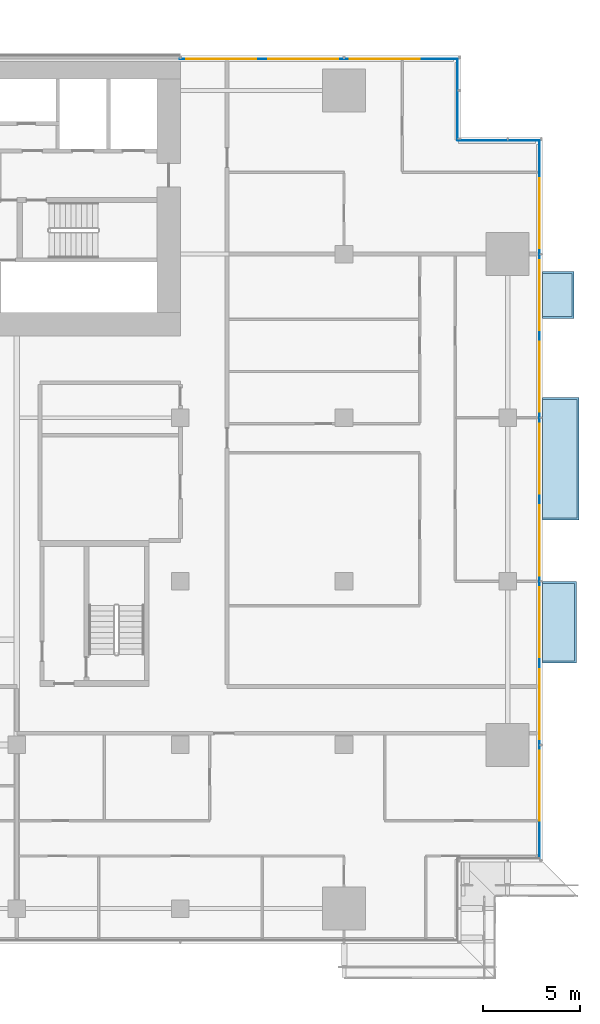
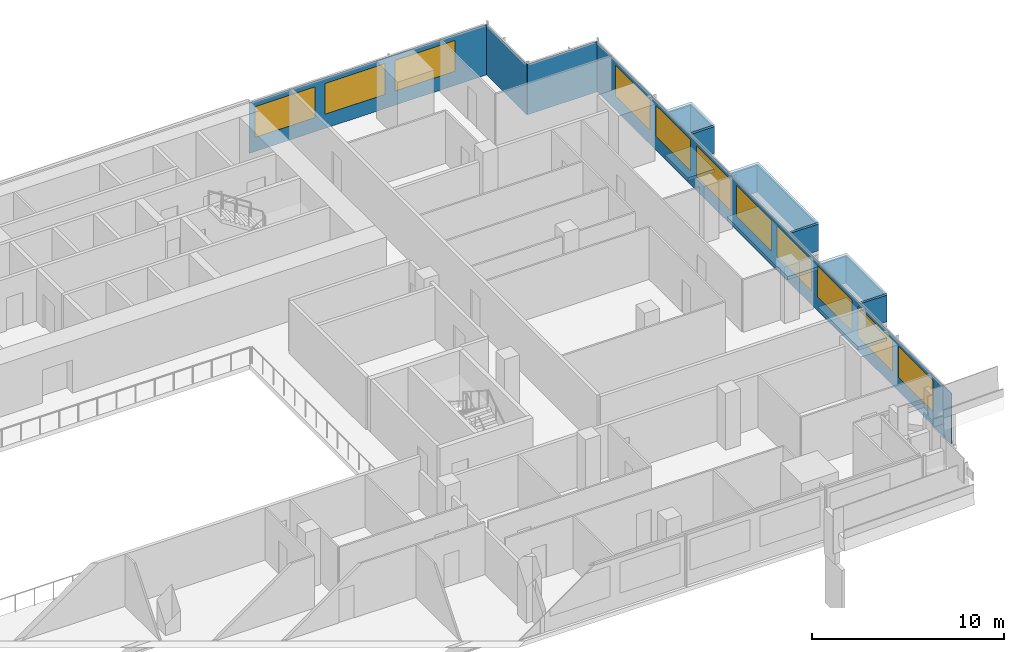
# One storey, part 16 of 29: 11 windows, 10 plates, 3 slabs, 11 openings, 4 elements without a shape of their own.
"""IFC4 building model written with IfcOpenShell, lengths in metres."""

from ifc_helpers import new_model, si_unit, direction, frame, frame_2d, origin, place, context, subcontext, project, spatial, polyline, rectangle, outline, extrude, material, layer, layer_set, type_object, element, fill, aggregate, save


model = new_model("IFC4")

# Units and contexts
model_context = context("Model", 3, precision=1e-05, world=origin(), true_north=direction((0.0, 1.0)))
body_context = subcontext(model_context, "Body", "Model", "MODEL_VIEW")
ifc_project = project(units=[si_unit("LENGTHUNIT", "METRE"), si_unit("AREAUNIT", "SQUARE_METRE"), si_unit("VOLUMEUNIT", "CUBIC_METRE"), si_unit("PLANEANGLEUNIT", "RADIAN"), si_unit("MASSUNIT", "GRAM", prefix="KILO")], contexts=[model_context])

# Site, building, storey
site_placement = place(None, origin())
site = spatial("IfcSite", under=ifc_project, at=site_placement, CompositionType="ELEMENT")
building_placement = place(site_placement, origin())
building = spatial("IfcBuilding", under=site, at=building_placement, Name="Saffron Gate Tower", CompositionType="ELEMENT")
storey_placement = place(building_placement, frame((0.0, 0.0, 48.0)))
storey = spatial("IfcBuildingStorey", under=building, at=storey_placement, Name="L10", CompositionType="ELEMENT", Elevation=48.0)

# Curtain wall, plate, openings, windows
ifc_material_1 = material(Name="Aluminium, bronze anodised", Category="aluminium")
curtain_wall_type_1 = type_object("IfcCurtainWallType", Name="CWS2 curtain wall side facades", PredefinedType="NOTDEFINED", material=ifc_material_1)
curtain_wall_1_placement = place(storey_placement, origin())
curtain_wall_1 = element("IfcCurtainWall", 1, at=curtain_wall_1_placement, inside=storey, type_object=curtain_wall_type_1, Name="CWS2 run 4", PredefinedType="NOTDEFINED")
ifc_material_2 = material(Name="Fritted bronze-tinted laminated glass", Category="glass")
ifc_layer_1 = layer(ifc_material_2, 0.028076171875)
ifc_layer_set_1 = layer_set([ifc_layer_1], Name="CWS2 fixed glass")
plate_type_1 = type_object("IfcPlateType", Name="CWS2 fixed glass", PredefinedType="CURTAIN_PANEL", material=ifc_layer_set_1)
plate_1_placement = place(storey_placement, frame((127.02587890625, 34.387939453125, 0.0), z_axis=(0.0, 0.0, 1.0), x_axis=(0.0, 1.0, 0.0)))
plate_1 = element("IfcPlate", 2, at=plate_1_placement, type_object=plate_type_1, Name="CWS2 glass panel", PredefinedType="CURTAIN_PANEL", context=body_context, shape_type="SweptSolid", body=[
    extrude(rectangle(XDim=36.823974609375, YDim=0.028076171875, at=frame_2d((18.412109375, 0.0))), origin(), (0.0, 0.0, 1.0), 3.199951171875),
])
opening_1_placement = place(plate_1_placement, frame((1.912109375, 0.0, 0.89990234375)))
opening_1 = element("IfcOpeningElement", 3, at=opening_1_placement, cuts=plate_1, Name="Opening W1", PredefinedType="OPENING", context=body_context, shape_type="SweptSolid", body=[
    extrude(rectangle(XDim=3.60009765625, YDim=1.949951171875, at=frame_2d((1.800048828125, 0.97509765625))), frame((0.0, 0.02392578125, 0.0), z_axis=(0.0, -1.0, 0.0), x_axis=(1.0, 0.0, 0.0)), (0.0, 0.0, 1.0), 0.048095703125),
])
opening_2_placement = place(plate_1_placement, frame((6.112060546875, 0.0, 0.89990234375)))
opening_2 = element("IfcOpeningElement", 4, at=opening_2_placement, cuts=plate_1, Name="Opening W1", PredefinedType="OPENING", context=body_context, shape_type="SweptSolid", body=[
    extrude(rectangle(XDim=3.60009765625, YDim=1.949951171875, at=frame_2d((1.800048828125, 0.97509765625))), frame((0.0, 0.02392578125, 0.0), z_axis=(0.0, -1.0, 0.0), x_axis=(1.0, 0.0, 0.0)), (0.0, 0.0, 1.0), 0.048095703125),
])
opening_3_placement = place(plate_1_placement, frame((10.31201171875, 0.0, 0.89990234375)))
opening_3 = element("IfcOpeningElement", 5, at=opening_3_placement, cuts=plate_1, Name="Opening W1", PredefinedType="OPENING", context=body_context, shape_type="SweptSolid", body=[
    extrude(rectangle(XDim=3.60009765625, YDim=1.949951171875, at=frame_2d((1.800048828125, 0.97509765625))), frame((0.0, 0.02392578125, 0.0), z_axis=(0.0, -1.0, 0.0), x_axis=(1.0, 0.0, 0.0)), (0.0, 0.0, 1.0), 0.048095703125),
])
opening_4_placement = place(plate_1_placement, frame((14.511962890625, 0.0, 0.89990234375)))
opening_4 = element("IfcOpeningElement", 6, at=opening_4_placement, cuts=plate_1, Name="Opening W1", PredefinedType="OPENING", context=body_context, shape_type="SweptSolid", body=[
    extrude(rectangle(XDim=3.60009765625, YDim=1.949951171875, at=frame_2d((1.800048828125, 0.97509765625))), frame((0.0, 0.02392578125, 0.0), z_axis=(0.0, -1.0, 0.0), x_axis=(1.0, 0.0, 0.0)), (0.0, 0.0, 1.0), 0.048095703125),
])
opening_5_placement = place(plate_1_placement, frame((18.7119140625, 0.0, 0.89990234375)))
opening_5 = element("IfcOpeningElement", 7, at=opening_5_placement, cuts=plate_1, Name="Opening W1", PredefinedType="OPENING", context=body_context, shape_type="SweptSolid", body=[
    extrude(rectangle(XDim=3.60009765625, YDim=1.949951171875, at=frame_2d((1.800048828125, 0.97509765625))), frame((0.0, 0.02392578125, 0.0), z_axis=(0.0, -1.0, 0.0), x_axis=(1.0, 0.0, 0.0)), (0.0, 0.0, 1.0), 0.048095703125),
])
opening_6_placement = place(plate_1_placement, frame((22.912109375, 0.0, 0.89990234375)))
opening_6 = element("IfcOpeningElement", 8, at=opening_6_placement, cuts=plate_1, Name="Opening W1", PredefinedType="OPENING", context=body_context, shape_type="SweptSolid", body=[
    extrude(rectangle(XDim=3.60009765625, YDim=1.949951171875, at=frame_2d((1.800048828125, 0.97509765625))), frame((0.0, 0.02392578125, 0.0), z_axis=(0.0, -1.0, 0.0), x_axis=(1.0, 0.0, 0.0)), (0.0, 0.0, 1.0), 0.048095703125),
])
opening_7_placement = place(plate_1_placement, frame((27.112060546875, 0.0, 0.89990234375)))
opening_7 = element("IfcOpeningElement", 9, at=opening_7_placement, cuts=plate_1, Name="Opening W1", PredefinedType="OPENING", context=body_context, shape_type="SweptSolid", body=[
    extrude(rectangle(XDim=3.60009765625, YDim=1.949951171875, at=frame_2d((1.800048828125, 0.97509765625))), frame((0.0, 0.02392578125, 0.0), z_axis=(0.0, -1.0, 0.0), x_axis=(1.0, 0.0, 0.0)), (0.0, 0.0, 1.0), 0.048095703125),
])
opening_8_placement = place(plate_1_placement, frame((31.31201171875, 0.0, 0.89990234375)))
opening_8 = element("IfcOpeningElement", 10, at=opening_8_placement, cuts=plate_1, Name="Opening W1", PredefinedType="OPENING", context=body_context, shape_type="SweptSolid", body=[
    extrude(rectangle(XDim=3.60009765625, YDim=1.949951171875, at=frame_2d((1.800048828125, 0.97509765625))), frame((0.0, 0.02392578125, 0.0), z_axis=(0.0, -1.0, 0.0), x_axis=(1.0, 0.0, 0.0)), (0.0, 0.0, 1.0), 0.048095703125),
])
ifc_material_3 = material(Name="Fritted bronze-tinted laminated glass in bronze frame", Category="glass")
ifc_layer_2 = layer(ifc_material_3, 0.06005859375)
ifc_layer_set_2 = layer_set([ifc_layer_2], Name="W1 operable panel 3600x1950")
window_type = type_object("IfcWindowType", Name="W1 operable panel 3600x1950", PartitioningType="DOUBLE_PANEL_HORIZONTAL", PredefinedType="WINDOW", material=ifc_layer_set_2)
window_1_placement = place(opening_1_placement, origin())
window_1 = element("IfcWindow", 11, at=window_1_placement, type_object=window_type, Name="W1 operable panel", OverallHeight=1.949951171875, OverallWidth=3.60009765625, PartitioningType="SINGLE_PANEL", PredefinedType="WINDOW", context=body_context, shape_type="SweptSolid", body=[
    extrude(rectangle(XDim=3.60009765625, YDim=1.949951171875, at=frame_2d((1.800048828125, 0.97509765625))), frame((0.0, 0.013671875, 0.0), z_axis=(0.0, -1.0, 0.0), x_axis=(1.0, 0.0, 0.0)), (0.0, 0.0, 1.0), 0.027587890625),
])
fill(opening_1, window_1)
window_2_placement = place(opening_2_placement, origin())
window_2 = element("IfcWindow", 12, at=window_2_placement, type_object=window_type, Name="W1 operable panel", OverallHeight=1.949951171875, OverallWidth=3.60009765625, PartitioningType="SINGLE_PANEL", PredefinedType="WINDOW", context=body_context, shape_type="SweptSolid", body=[
    extrude(rectangle(XDim=3.60009765625, YDim=1.949951171875, at=frame_2d((1.800048828125, 0.97509765625))), frame((0.0, 0.013671875, 0.0), z_axis=(0.0, -1.0, 0.0), x_axis=(1.0, 0.0, 0.0)), (0.0, 0.0, 1.0), 0.027587890625),
])
fill(opening_2, window_2)
window_3_placement = place(opening_3_placement, origin())
window_3 = element("IfcWindow", 13, at=window_3_placement, type_object=window_type, Name="W1 operable panel", OverallHeight=1.949951171875, OverallWidth=3.60009765625, PartitioningType="SINGLE_PANEL", PredefinedType="WINDOW", context=body_context, shape_type="SweptSolid", body=[
    extrude(rectangle(XDim=3.60009765625, YDim=1.949951171875, at=frame_2d((1.800048828125, 0.97509765625))), frame((0.0, 0.013671875, 0.0), z_axis=(0.0, -1.0, 0.0), x_axis=(1.0, 0.0, 0.0)), (0.0, 0.0, 1.0), 0.027587890625),
])
fill(opening_3, window_3)
window_4_placement = place(opening_4_placement, origin())
window_4 = element("IfcWindow", 14, at=window_4_placement, type_object=window_type, Name="W1 operable panel", OverallHeight=1.949951171875, OverallWidth=3.60009765625, PartitioningType="SINGLE_PANEL", PredefinedType="WINDOW", context=body_context, shape_type="SweptSolid", body=[
    extrude(rectangle(XDim=3.60009765625, YDim=1.949951171875, at=frame_2d((1.800048828125, 0.97509765625))), frame((0.0, 0.013671875, 0.0), z_axis=(0.0, -1.0, 0.0), x_axis=(1.0, 0.0, 0.0)), (0.0, 0.0, 1.0), 0.027587890625),
])
fill(opening_4, window_4)
window_5_placement = place(opening_5_placement, origin())
window_5 = element("IfcWindow", 15, at=window_5_placement, type_object=window_type, Name="W1 operable panel", OverallHeight=1.949951171875, OverallWidth=3.60009765625, PartitioningType="SINGLE_PANEL", PredefinedType="WINDOW", context=body_context, shape_type="SweptSolid", body=[
    extrude(rectangle(XDim=3.60009765625, YDim=1.949951171875, at=frame_2d((1.800048828125, 0.97509765625))), frame((0.0, 0.013671875, 0.0), z_axis=(0.0, -1.0, 0.0), x_axis=(1.0, 0.0, 0.0)), (0.0, 0.0, 1.0), 0.027587890625),
])
fill(opening_5, window_5)
window_6_placement = place(opening_6_placement, origin())
window_6 = element("IfcWindow", 16, at=window_6_placement, type_object=window_type, Name="W1 operable panel", OverallHeight=1.949951171875, OverallWidth=3.60009765625, PartitioningType="SINGLE_PANEL", PredefinedType="WINDOW", context=body_context, shape_type="SweptSolid", body=[
    extrude(rectangle(XDim=3.60009765625, YDim=1.949951171875, at=frame_2d((1.800048828125, 0.97509765625))), frame((0.0, 0.013671875, 0.0), z_axis=(0.0, -1.0, 0.0), x_axis=(1.0, 0.0, 0.0)), (0.0, 0.0, 1.0), 0.027587890625),
])
fill(opening_6, window_6)
window_7_placement = place(opening_7_placement, origin())
window_7 = element("IfcWindow", 17, at=window_7_placement, type_object=window_type, Name="W1 operable panel", OverallHeight=1.949951171875, OverallWidth=3.60009765625, PartitioningType="SINGLE_PANEL", PredefinedType="WINDOW", context=body_context, shape_type="SweptSolid", body=[
    extrude(rectangle(XDim=3.60009765625, YDim=1.949951171875, at=frame_2d((1.800048828125, 0.97509765625))), frame((0.0, 0.013671875, 0.0), z_axis=(0.0, -1.0, 0.0), x_axis=(1.0, 0.0, 0.0)), (0.0, 0.0, 1.0), 0.027587890625),
])
fill(opening_7, window_7)
window_8_placement = place(opening_8_placement, origin())
window_8 = element("IfcWindow", 18, at=window_8_placement, type_object=window_type, Name="W1 operable panel", OverallHeight=1.949951171875, OverallWidth=3.60009765625, PartitioningType="SINGLE_PANEL", PredefinedType="WINDOW", context=body_context, shape_type="SweptSolid", body=[
    extrude(rectangle(XDim=3.60009765625, YDim=1.949951171875, at=frame_2d((1.800048828125, 0.97509765625))), frame((0.0, 0.013671875, 0.0), z_axis=(0.0, -1.0, 0.0), x_axis=(1.0, 0.0, 0.0)), (0.0, 0.0, 1.0), 0.027587890625),
])
fill(opening_8, window_8)
aggregate(curtain_wall_1, [plate_1, window_1, window_2, window_3, window_4, window_5, window_6, window_7, window_8])

curtain_wall_type_2 = type_object("IfcCurtainWallType", Name="CWS3 curtain wall rear facade", PredefinedType="NOTDEFINED", material=ifc_material_1)
curtain_wall_2_placement = place(storey_placement, origin())
curtain_wall_2 = element("IfcCurtainWall", 19, at=curtain_wall_2_placement, inside=storey, type_object=curtain_wall_type_2, Name="CWS3 run 7", PredefinedType="NOTDEFINED")
ifc_material_4 = material(Name="Fritted grey-tinted laminated glass", Category="glass")
ifc_layer_3 = layer(ifc_material_4, 0.028076171875)
ifc_layer_set_3 = layer_set([ifc_layer_3], Name="CWS3 fixed glass")
plate_type_2 = type_object("IfcPlateType", Name="CWS3 fixed glass", PredefinedType="CURTAIN_PANEL", material=ifc_layer_set_3)
plate_2_placement = place(storey_placement, frame((122.81201171875, 75.426025390625, 0.0), z_axis=(0.0, 0.0, 1.0), x_axis=(-1.0, 0.0, 0.0)))
plate_2 = element("IfcPlate", 20, at=plate_2_placement, type_object=plate_type_2, Name="CWS3 glass panel", PredefinedType="CURTAIN_PANEL", context=body_context, shape_type="SweptSolid", body=[
    extrude(rectangle(XDim=14.2470703125, YDim=0.028076171875, at=frame_2d((7.12353515625, 0.0))), origin(), (0.0, 0.0, 1.0), 3.199951171875),
])
opening_9_placement = place(plate_2_placement, frame((1.912109375, 0.0, 0.89990234375)))
opening_9 = element("IfcOpeningElement", 21, at=opening_9_placement, cuts=plate_2, Name="Opening W1", PredefinedType="OPENING", context=body_context, shape_type="SweptSolid", body=[
    extrude(rectangle(XDim=3.60009765625, YDim=1.949951171875, at=frame_2d((1.800048828125, 0.97509765625))), frame((0.0, 0.02392578125, 0.0), z_axis=(0.0, -1.0, 0.0), x_axis=(1.0, 0.0, 0.0)), (0.0, 0.0, 1.0), 0.048095703125),
])
opening_10_placement = place(plate_2_placement, frame((6.112060546875, 0.0, 0.89990234375)))
opening_10 = element("IfcOpeningElement", 22, at=opening_10_placement, cuts=plate_2, Name="Opening W1", PredefinedType="OPENING", context=body_context, shape_type="SweptSolid", body=[
    extrude(rectangle(XDim=3.60009765625, YDim=1.949951171875, at=frame_2d((1.800048828125, 0.97509765625))), frame((0.0, 0.02392578125, 0.0), z_axis=(0.0, -1.0, 0.0), x_axis=(1.0, 0.0, 0.0)), (0.0, 0.0, 1.0), 0.048095703125),
])
opening_11_placement = place(plate_2_placement, frame((10.31201171875, 0.0, 0.89990234375)))
opening_11 = element("IfcOpeningElement", 23, at=opening_11_placement, cuts=plate_2, Name="Opening W1", PredefinedType="OPENING", context=body_context, shape_type="SweptSolid", body=[
    extrude(rectangle(XDim=3.60009765625, YDim=1.949951171875, at=frame_2d((1.800048828125, 0.97509765625))), frame((0.0, 0.02392578125, 0.0), z_axis=(0.0, -1.0, 0.0), x_axis=(1.0, 0.0, 0.0)), (0.0, 0.0, 1.0), 0.048095703125),
])
window_9_placement = place(opening_9_placement, origin())
window_9 = element("IfcWindow", 24, at=window_9_placement, type_object=window_type, Name="W1 operable panel", OverallHeight=1.949951171875, OverallWidth=3.60009765625, PartitioningType="SINGLE_PANEL", PredefinedType="WINDOW", context=body_context, shape_type="SweptSolid", body=[
    extrude(rectangle(XDim=3.60009765625, YDim=1.949951171875, at=frame_2d((1.800048828125, 0.97509765625))), frame((0.0, 0.013671875, 0.0), z_axis=(0.0, -1.0, 0.0), x_axis=(1.0, 0.0, 0.0)), (0.0, 0.0, 1.0), 0.027587890625),
])
fill(opening_9, window_9)
window_10_placement = place(opening_10_placement, origin())
window_10 = element("IfcWindow", 25, at=window_10_placement, type_object=window_type, Name="W1 operable panel", OverallHeight=1.949951171875, OverallWidth=3.60009765625, PartitioningType="SINGLE_PANEL", PredefinedType="WINDOW", context=body_context, shape_type="SweptSolid", body=[
    extrude(rectangle(XDim=3.60009765625, YDim=1.949951171875, at=frame_2d((1.800048828125, 0.97509765625))), frame((0.0, 0.013671875, 0.0), z_axis=(0.0, -1.0, 0.0), x_axis=(1.0, 0.0, 0.0)), (0.0, 0.0, 1.0), 0.027587890625),
])
fill(opening_10, window_10)
window_11_placement = place(opening_11_placement, origin())
window_11 = element("IfcWindow", 26, at=window_11_placement, type_object=window_type, Name="W1 operable panel", OverallHeight=1.949951171875, OverallWidth=3.60009765625, PartitioningType="SINGLE_PANEL", PredefinedType="WINDOW", context=body_context, shape_type="SweptSolid", body=[
    extrude(rectangle(XDim=3.60009765625, YDim=1.949951171875, at=frame_2d((1.800048828125, 0.97509765625))), frame((0.0, 0.013671875, 0.0), z_axis=(0.0, -1.0, 0.0), x_axis=(1.0, 0.0, 0.0)), (0.0, 0.0, 1.0), 0.027587890625),
])
fill(opening_11, window_11)
aggregate(curtain_wall_2, [plate_2, window_9, window_10, window_11])

# Curtain wall, plate
curtain_wall_type_3 = type_object("IfcCurtainWallType", Name="CWS4 curtain wall corner returns", PredefinedType="NOTDEFINED", material=ifc_material_1)
curtain_wall_3_placement = place(storey_placement, origin())
curtain_wall_3 = element("IfcCurtainWall", 27, at=curtain_wall_3_placement, inside=storey, type_object=curtain_wall_type_3, Name="CWS4 run 5", PredefinedType="NOTDEFINED")
ifc_layer_4 = layer(ifc_material_2, 0.028076171875)
ifc_layer_set_4 = layer_set([ifc_layer_4], Name="CWS4 fixed glass")
plate_type_3 = type_object("IfcPlateType", Name="CWS4 fixed glass", PredefinedType="CURTAIN_PANEL", material=ifc_layer_set_4)
plate_3_placement = place(storey_placement, frame((127.011962890625, 71.22607421875, 0.0), z_axis=(0.0, 0.0, 1.0), x_axis=(-1.0, 0.0, 0.0)))
plate_3 = element("IfcPlate", 28, at=plate_3_placement, type_object=plate_type_3, Name="CWS4 glass panel", PredefinedType="CURTAIN_PANEL", context=body_context, shape_type="SweptSolid", body=[
    extrude(rectangle(XDim=4.171875, YDim=0.028076171875, at=frame_2d((2.0859375, 0.0))), origin(), (0.0, 0.0, 1.0), 3.199951171875),
])
aggregate(curtain_wall_3, [plate_3])

curtain_wall_4_placement = place(storey_placement, origin())
curtain_wall_4 = element("IfcCurtainWall", 29, at=curtain_wall_4_placement, inside=storey, type_object=curtain_wall_type_3, Name="CWS4 run 6", PredefinedType="NOTDEFINED")
plate_4_placement = place(storey_placement, frame((122.825927734375, 71.239990234375, 0.0), z_axis=(0.0, 0.0, 1.0), x_axis=(0.0, 1.0, 0.0)))
plate_4 = element("IfcPlate", 30, at=plate_4_placement, type_object=plate_type_3, Name="CWS4 glass panel", PredefinedType="CURTAIN_PANEL", context=body_context, shape_type="SweptSolid", body=[
    extrude(rectangle(XDim=4.172119140625, YDim=0.028076171875, at=frame_2d((2.0859375, 0.0))), origin(), (0.0, 0.0, 1.0), 3.199951171875),
])
aggregate(curtain_wall_4, [plate_4])

# Slabs
ifc_material_5 = material(Name="Timber deck on bronze frame", Category="wood")
ifc_layer_5 = layer(ifc_material_5, 0.199951171875)
ifc_layer_set_5 = layer_set([ifc_layer_5], Name="WB1 box floor")
slab_type = type_object("IfcSlabType", Name="WB1 box floor", PredefinedType="FLOOR", material=ifc_layer_set_5)
slab_1_placement = place(storey_placement, frame((0.0, 0.0, -0.199951171875)))
element("IfcSlab", 31, at=slab_1_placement, inside=storey, type_object=slab_type, Name="WINDOW BOX floor", PredefinedType="FLOOR", context=body_context, shape_type="SweptSolid", body=[
    extrude(outline(polyline([(127.199951171875, 44.39990234375), (127.199951171875, 48.60009765625), (128.93310546875, 48.60009765625), (128.93310546875, 44.39990234375), (127.199951171875, 44.39990234375)])), origin(), (0.0, 0.0, 1.0), 0.199951171875),
])
slab_2_placement = place(storey_placement, frame((0.0, 0.0, -0.199951171875)))
element("IfcSlab", 32, at=slab_2_placement, inside=storey, type_object=slab_type, Name="WINDOW BOX floor", PredefinedType="FLOOR", context=body_context, shape_type="SweptSolid", body=[
    extrude(outline(polyline([(127.199951171875, 51.75), (127.199951171875, 58.050048828125), (129.06689453125, 58.050048828125), (129.06689453125, 51.75), (127.199951171875, 51.75)])), origin(), (0.0, 0.0, 1.0), 0.199951171875),
])
slab_3_placement = place(storey_placement, frame((0.0, 0.0, -0.199951171875)))
element("IfcSlab", 33, at=slab_3_placement, inside=storey, type_object=slab_type, Name="WINDOW BOX floor", PredefinedType="FLOOR", context=body_context, shape_type="SweptSolid", body=[
    extrude(outline(polyline([(127.199951171875, 62.10009765625), (127.199951171875, 64.5), (128.800048828125, 64.5), (128.800048828125, 62.10009765625), (127.199951171875, 62.10009765625)])), origin(), (0.0, 0.0, 1.0), 0.199951171875),
])

# Plates
ifc_layer_6 = layer(ifc_material_1, 0.1201171875)
ifc_layer_set_6 = layer_set([ifc_layer_6], Name="WB2 box roof")
plate_type_4 = type_object("IfcPlateType", Name="WB2 box roof", PredefinedType="SHEET", material=ifc_layer_set_6)
plate_5_placement = place(storey_placement, frame((0.0, 0.0, 2.699951171875)))
element("IfcPlate", 34, at=plate_5_placement, inside=storey, type_object=plate_type_4, Name="WINDOW BOX roof", PredefinedType="SHEET", context=body_context, shape_type="SweptSolid", body=[
    extrude(outline(polyline([(127.199951171875, 44.39990234375), (127.199951171875, 48.60009765625), (128.93310546875, 48.60009765625), (128.93310546875, 44.39990234375), (127.199951171875, 44.39990234375)])), origin(), (0.0, 0.0, 1.0), 0.1201171875),
])
plate_6_placement = place(storey_placement, frame((0.0, 0.0, 2.699951171875)))
element("IfcPlate", 35, at=plate_6_placement, inside=storey, type_object=plate_type_4, Name="WINDOW BOX roof", PredefinedType="SHEET", context=body_context, shape_type="SweptSolid", body=[
    extrude(outline(polyline([(127.199951171875, 51.75), (127.199951171875, 58.050048828125), (129.06689453125, 58.050048828125), (129.06689453125, 51.75), (127.199951171875, 51.75)])), origin(), (0.0, 0.0, 1.0), 0.1201171875),
])
plate_7_placement = place(storey_placement, frame((0.0, 0.0, 2.699951171875)))
element("IfcPlate", 36, at=plate_7_placement, inside=storey, type_object=plate_type_4, Name="WINDOW BOX roof", PredefinedType="SHEET", context=body_context, shape_type="SweptSolid", body=[
    extrude(outline(polyline([(127.199951171875, 62.10009765625), (127.199951171875, 64.5), (128.800048828125, 64.5), (128.800048828125, 62.10009765625), (127.199951171875, 62.10009765625)])), origin(), (0.0, 0.0, 1.0), 0.1201171875),
])
ifc_material_6 = material(Name="Clear low-iron laminated glass", Category="glass")
ifc_layer_7 = layer(ifc_material_6, 0.10009765625)
ifc_layer_set_7 = layer_set([ifc_layer_7], Name="WB6 box glazing")
plate_type_5 = type_object("IfcPlateType", Name="WB6 box glazing", PredefinedType="SHEET", material=ifc_layer_set_7)
plate_8_placement = place(storey_placement, frame((0.0, 0.0, 1.0)))
element("IfcPlate", 37, at=plate_8_placement, inside=storey, type_object=plate_type_5, Name="WINDOW BOX glazing", PredefinedType="SHEET", context=body_context, shape_type="SweptSolid", body=[
    extrude(outline(polyline([(127.199951171875, 44.39990234375), (127.199951171875, 44.5), (128.8330078125, 44.5), (128.8330078125, 48.5), (127.199951171875, 48.5), (127.199951171875, 48.60009765625), (128.93310546875, 48.60009765625), (128.93310546875, 44.39990234375), (127.199951171875, 44.39990234375)])), origin(), (0.0, 0.0, 1.0), 1.699951171875),
])
plate_9_placement = place(storey_placement, frame((0.0, 0.0, 1.0)))
element("IfcPlate", 38, at=plate_9_placement, inside=storey, type_object=plate_type_5, Name="WINDOW BOX glazing", PredefinedType="SHEET", context=body_context, shape_type="SweptSolid", body=[
    extrude(outline(polyline([(127.199951171875, 51.75), (127.199951171875, 51.85009765625), (128.967041015625, 51.85009765625), (128.967041015625, 57.949951171875), (127.199951171875, 57.949951171875), (127.199951171875, 58.050048828125), (129.06689453125, 58.050048828125), (129.06689453125, 51.75), (127.199951171875, 51.75)])), origin(), (0.0, 0.0, 1.0), 1.699951171875),
])
plate_10_placement = place(storey_placement, frame((0.0, 0.0, 1.0)))
element("IfcPlate", 39, at=plate_10_placement, inside=storey, type_object=plate_type_5, Name="WINDOW BOX glazing", PredefinedType="SHEET", context=body_context, shape_type="SweptSolid", body=[
    extrude(outline(polyline([(127.199951171875, 62.10009765625), (127.199951171875, 62.199951171875), (128.699951171875, 62.199951171875), (128.699951171875, 64.39990234375), (127.199951171875, 64.39990234375), (127.199951171875, 64.5), (128.800048828125, 64.5), (128.800048828125, 62.10009765625), (127.199951171875, 62.10009765625)])), origin(), (0.0, 0.0, 1.0), 1.699951171875),
])

save(model, "model.ifc")
